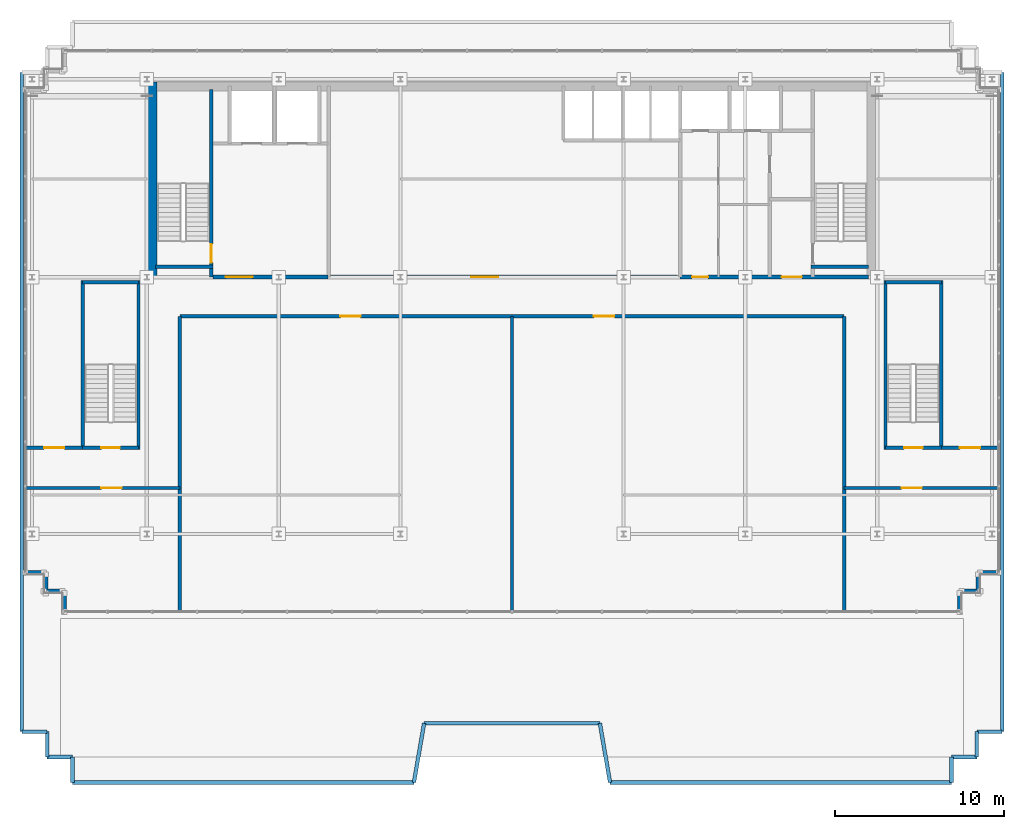
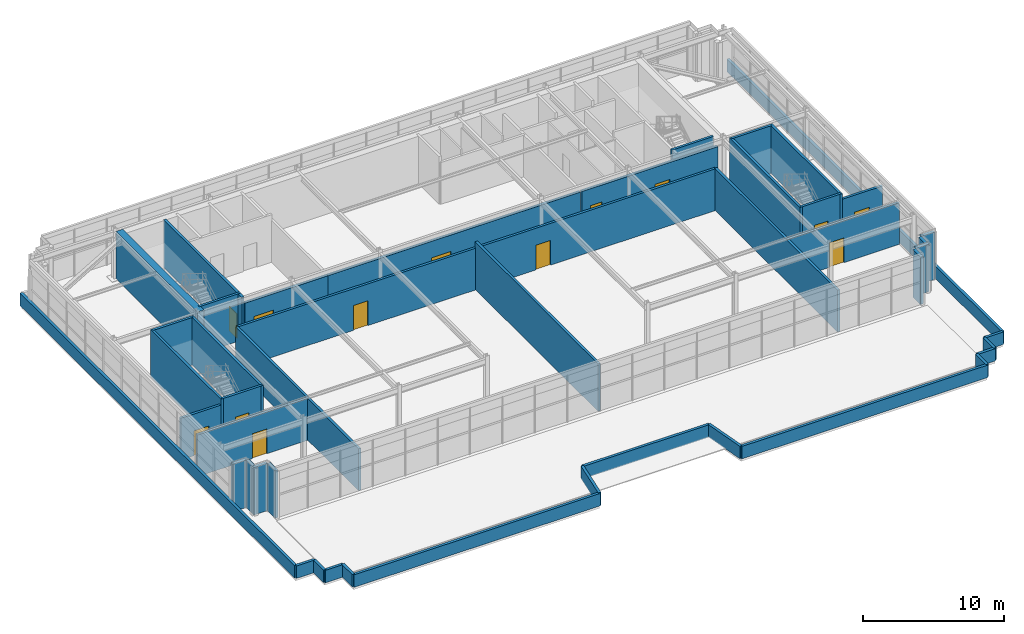
# One storey, part 30 of 38: 46 walls, 13 doors, 13 openings.
"""IFC4 building model written with IfcOpenShell, lengths in metres."""

from ifc_helpers import new_model, si_unit, direction, frame, frame_2d, origin, place, context, subcontext, project, spatial, rectangle, extrude, source, transform, mapped, material, layer, layer_set, type_object, element, fill, save


model = new_model("IFC4")

# Units and contexts
model_context = context("Model", 3, precision=1e-05, world=origin(), true_north=direction((0.0, 1.0)))
body_context = subcontext(model_context, "Body", "Model", "MODEL_VIEW")
ifc_project = project(units=[si_unit("LENGTHUNIT", "METRE"), si_unit("AREAUNIT", "SQUARE_METRE"), si_unit("VOLUMEUNIT", "CUBIC_METRE"), si_unit("PLANEANGLEUNIT", "RADIAN"), si_unit("MASSUNIT", "GRAM", prefix="KILO")], contexts=[model_context])

# Site, building, storey
site_placement = place(None, origin())
site = spatial("IfcSite", under=ifc_project, at=site_placement, CompositionType="ELEMENT")
building_placement = place(site_placement, origin())
building = spatial("IfcBuilding", under=site, at=building_placement, Name="Trelvane Seafront Commons", CompositionType="ELEMENT")
storey_placement = place(building_placement, frame((0.0, 0.0, 299.10009765625)))
storey = spatial("IfcBuildingStorey", under=building, at=storey_placement, Name="L78", CompositionType="ELEMENT", Elevation=299.10009765625)

# Walls
ifc_material_1 = material(Name="Precast concrete C40/50", Category="concrete")
ifc_layer_1 = layer(ifc_material_1, 0.239990234375, Name="ARCH-WALL-EXT240")
ifc_layer_set_1 = layer_set([ifc_layer_1], Name="Precast concrete C40/50")
wall_type_1 = type_object("IfcWallType", Name="ARCH-WALL-EXT240", PredefinedType="SOLIDWALL", material=ifc_layer_set_1)
for number, where, z_axis, x_axis, name in (
    (1, (10.60009765625, 14.820068359375, 0.0), (0.0, 0.0, 1.0), (-1.0, 0.0, 0.0), "EW-L78-CRN-01581"),
    (2, (9.6201171875, 14.699951171875, 0.0), (0.0, 0.0, 1.0), (0.0, 1.0, 0.0), "EW-L78-CRN-01582"),
    (3, (9.5, 15.919921875, 0.0), (0.0, 0.0, 1.0), (-1.0, 0.0, 0.0), "EW-L78-CRN-01583"),
    (4, (66.0, 15.919921875, 0.0), (0.0, 0.0, 1.0), (-1.0, 0.0, 0.0), "EW-L78-CRN-01592"),
    (5, (64.780029296875, 15.800048828125, 0.0), (0.0, 0.0, 1.0), (0.0, -1.0, 0.0), "EW-L78-CRN-01593"),
):
    element("IfcWall", number, at=place(storey_placement, frame(where, z_axis=z_axis, x_axis=x_axis)), inside=storey, type_object=wall_type_1, Name=name, PredefinedType="SOLIDWALL", context=body_context, shape_type="SweptSolid", body=[
        extrude(rectangle(XDim=1.10009765625, YDim=0.239990234375, at=frame_2d((0.550048828125, 0.0))), origin(), (0.0, 0.0, 1.0), 4.119873046875),
    ])
for number, where, z_axis, x_axis, name in (
    (6, (64.89990234375, 14.820068359375, 0.0), (0.0, 0.0, 1.0), (-1.0, 0.0, 0.0), "EW-L78-CRN-01594"),
    (7, (63.679931640625, 14.699951171875, 0.0), (0.0, 0.0, 1.0), (0.0, -1.0, 0.0), "EW-L78-CRN-01595"),
    (8, (10.719970703125, 13.60009765625, 0.0), (0.0, 0.0, 1.0), (0.0, 1.0, 0.0), "EW-L78-CRN-01596"),
):
    element("IfcWall", number, at=place(storey_placement, frame(where, z_axis=z_axis, x_axis=x_axis)), inside=storey, type_object=wall_type_1, Name=name, PredefinedType="SOLIDWALL", context=body_context, shape_type="SweptSolid", body=[
        extrude(rectangle(XDim=1.099853515625, YDim=0.239990234375, at=frame_2d((0.5498046875, 0.0))), origin(), (0.0, 0.0, 1.0), 4.119873046875),
    ])

# Wall, openings, doors
ifc_material_2 = material(Name="Concrete C40/50", Category="concrete")
ifc_layer_2 = layer(ifc_material_2, 0.199951171875, Name="ARCH-WALL-FIRE200")
ifc_layer_set_2 = layer_set([ifc_layer_2], Name="Concrete C40/50")
wall_type_2 = type_object("IfcWallType", Name="ARCH-WALL-FIRE200", PredefinedType="PARTITIONING", material=ifc_layer_set_2)
wall_1_placement = place(storey_placement, frame((17.550048828125, 31.080078125, 0.0), z_axis=(0.0, 0.0, 1.0), x_axis=(1.0, 0.0, 0.0)))
wall_1 = element("IfcWall", 9, at=wall_1_placement, inside=storey, type_object=wall_type_2, Name="W-L78-CRN78-N-037", PredefinedType="PARTITIONING", context=body_context, shape_type="SweptSolid", body=[
    extrude(rectangle(XDim=39.300048828125, YDim=0.199951171875, at=frame_2d((19.64990234375, 0.0))), origin(), (0.0, 0.0, 1.0), 3.619873046875),
])
opening_1_placement = place(wall_1_placement, frame((9.5, 0.0, 0.0)))
opening_1 = element("IfcOpeningElement", 10, at=opening_1_placement, cuts=wall_1, Name="Opening FD-L78-16", PredefinedType="OPENING", context=body_context, shape_type="SweptSolid", body=[
    extrude(rectangle(XDim=1.199951171875, YDim=2.14990234375, at=frame_2d((0.60009765625, 1.074951171875))), frame((0.0, 0.10986328125, 0.0), z_axis=(0.0, -1.0, 0.0), x_axis=(1.0, 0.0, 0.0)), (0.0, 0.0, 1.0), 0.219970703125),
])
opening_2_placement = place(wall_1_placement, frame((24.5, 0.0, 0.0)))
opening_2 = element("IfcOpeningElement", 11, at=opening_2_placement, cuts=wall_1, Name="Opening FD-L78-17", PredefinedType="OPENING", context=body_context, shape_type="SweptSolid", body=[
    extrude(rectangle(XDim=1.199951171875, YDim=2.14990234375, at=frame_2d((0.60009765625, 1.074951171875))), frame((0.0, 0.10986328125, 0.0), z_axis=(0.0, -1.0, 0.0), x_axis=(1.0, 0.0, 0.0)), (0.0, 0.0, 1.0), 0.219970703125),
])
ifc_material_3 = material(Name="Powder-coated aluminium frame", Category="aluminium")
door_type_1 = type_object("IfcDoorType", Name="ARCH-DR-FD60-1200", OperationType="NOTDEFINED", PredefinedType="DOOR", material=ifc_material_3)
shared_shape_1 = source(origin(), body_context, "Body", "SweptSolid", [
    extrude(rectangle(XDim=1.199951171875, YDim=2.14990234375, at=frame_2d((0.60009765625, 1.074951171875))), frame((0.0, 0.02490234375, 0.0), z_axis=(0.0, -1.0, 0.0), x_axis=(1.0, 0.0, 0.0)), (0.0, 0.0, 1.0), 0.050048828125),
])
door_1_placement = place(opening_1_placement, origin())
door_1 = element("IfcDoor", 12, at=door_1_placement, inside=storey, type_object=door_type_1, Name="L78 Door 16", OperationType="SINGLE_SWING_RIGHT", OverallHeight=2.14990234375, OverallWidth=1.199951171875, PredefinedType="DOOR", context=body_context, shape_type="MappedRepresentation", body=[
    mapped(shared_shape_1, transform((0.0, 0.0, 0.0), x_axis=(1.0, 0.0, 0.0), y_axis=(0.0, 1.0, 0.0), z_axis=(0.0, 0.0, 1.0), scale=1.0)),
])
fill(opening_1, door_1)
door_2_placement = place(opening_2_placement, origin())
door_2 = element("IfcDoor", 13, at=door_2_placement, inside=storey, type_object=door_type_1, Name="L78 Door 17", OperationType="SINGLE_SWING_LEFT", OverallHeight=2.14990234375, OverallWidth=1.199951171875, PredefinedType="DOOR", context=body_context, shape_type="MappedRepresentation", body=[
    mapped(shared_shape_1, transform((0.0, 0.0, 0.0), x_axis=(1.0, 0.0, 0.0), y_axis=(0.0, 1.0, 0.0), z_axis=(0.0, 0.0, 1.0), scale=1.0)),
])
fill(opening_2, door_2)

# Walls
wall_2_placement = place(storey_placement, frame((37.199951171875, 13.610107421875, 0.0), z_axis=(0.0, 0.0, 1.0), x_axis=(0.0, 1.0, 0.0)))
element("IfcWall", 14, at=wall_2_placement, inside=storey, type_object=wall_type_2, Name="W-L78-CRN78-DV-038", PredefinedType="PARTITIONING", context=body_context, shape_type="SweptSolid", body=[
    extrude(rectangle(XDim=17.469970703125, YDim=0.199951171875, at=frame_2d((8.73486328125, 0.0))), origin(), (0.0, 0.0, 1.0), 4.119873046875),
])
wall_3_placement = place(storey_placement, frame((17.550048828125, 13.610107421875, 0.0), z_axis=(0.0, 0.0, 1.0), x_axis=(0.0, 1.0, 0.0)))
element("IfcWall", 15, at=wall_3_placement, inside=storey, type_object=wall_type_2, Name="W-L78-CRN78-WE-039", PredefinedType="PARTITIONING", context=body_context, shape_type="SweptSolid", body=[
    extrude(rectangle(XDim=17.469970703125, YDim=0.199951171875, at=frame_2d((8.73486328125, 0.0))), origin(), (0.0, 0.0, 1.0), 3.619873046875),
])

# Wall, opening, door
wall_4_placement = place(storey_placement, frame((8.409912109375, 20.919921875, 0.0), z_axis=(0.0, 0.0, 1.0), x_axis=(1.0, 0.0, 0.0)))
wall_4 = element("IfcWall", 16, at=wall_4_placement, inside=storey, type_object=wall_type_2, Name="W-L78-CRN78-WS-040", PredefinedType="PARTITIONING", context=body_context, shape_type="SweptSolid", body=[
    extrude(rectangle(XDim=9.14013671875, YDim=0.199951171875, at=frame_2d((4.570068359375, 0.0))), origin(), (0.0, 0.0, 1.0), 3.619873046875),
])
opening_3_placement = place(wall_4_placement, frame((4.5, 0.0, 0.0)))
opening_3 = element("IfcOpeningElement", 17, at=opening_3_placement, cuts=wall_4, Name="Opening FD-L78-18", PredefinedType="OPENING", context=body_context, shape_type="SweptSolid", body=[
    extrude(rectangle(XDim=1.199951171875, YDim=2.14990234375, at=frame_2d((0.60009765625, 1.074951171875))), frame((0.0, 0.10986328125, 0.0), z_axis=(0.0, -1.0, 0.0), x_axis=(1.0, 0.0, 0.0)), (0.0, 0.0, 1.0), 0.219970703125),
])
door_3_placement = place(opening_3_placement, origin())
door_3 = element("IfcDoor", 18, at=door_3_placement, inside=storey, type_object=door_type_1, Name="L78 Door 18", OperationType="SINGLE_SWING_RIGHT", OverallHeight=2.14990234375, OverallWidth=1.199951171875, PredefinedType="DOOR", context=body_context, shape_type="MappedRepresentation", body=[
    mapped(shared_shape_1, transform((0.0, 0.0, 0.0), x_axis=(1.0, 0.0, 0.0), y_axis=(0.0, 1.0, 0.0), z_axis=(0.0, 0.0, 1.0), scale=1.0)),
])
fill(opening_3, door_3)

wall_5_placement = place(storey_placement, frame((8.409912109375, 23.300048828125, 0.0), z_axis=(0.0, 0.0, 1.0), x_axis=(1.0, 0.0, 0.0)))
wall_5 = element("IfcWall", 19, at=wall_5_placement, inside=storey, type_object=wall_type_2, Name="W-L78-CRN78-WCT-041", PredefinedType="PARTITIONING", context=body_context, shape_type="SweptSolid", body=[
    extrude(rectangle(XDim=3.39013671875, YDim=0.199951171875, at=frame_2d((1.695068359375, 0.0))), origin(), (0.0, 0.0, 1.0), 3.619873046875),
])
opening_4_placement = place(wall_5_placement, frame((1.10009765625, 0.0, 0.0)))
opening_4 = element("IfcOpeningElement", 20, at=opening_4_placement, cuts=wall_5, Name="Opening FD-L78-19", PredefinedType="OPENING", context=body_context, shape_type="SweptSolid", body=[
    extrude(rectangle(XDim=1.199951171875, YDim=2.14990234375, at=frame_2d((0.60009765625, 1.074951171875))), frame((0.0, 0.10986328125, 0.0), z_axis=(0.0, -1.0, 0.0), x_axis=(1.0, 0.0, 0.0)), (0.0, 0.0, 1.0), 0.219970703125),
])
door_4_placement = place(opening_4_placement, origin())
door_4 = element("IfcDoor", 21, at=door_4_placement, inside=storey, type_object=door_type_1, Name="L78 Door 19", OperationType="SINGLE_SWING_LEFT", OverallHeight=2.14990234375, OverallWidth=1.199951171875, PredefinedType="DOOR", context=body_context, shape_type="MappedRepresentation", body=[
    mapped(shared_shape_1, transform((0.0, 0.0, 0.0), x_axis=(1.0, 0.0, 0.0), y_axis=(0.0, 1.0, 0.0), z_axis=(0.0, 0.0, 1.0), scale=1.0)),
])
fill(opening_4, door_4)

# Wall
wall_6_placement = place(storey_placement, frame((56.85009765625, 13.610107421875, 0.0), z_axis=(0.0, 0.0, 1.0), x_axis=(0.0, 1.0, 0.0)))
element("IfcWall", 22, at=wall_6_placement, inside=storey, type_object=wall_type_2, Name="W-L78-CRN78-EW-042", PredefinedType="PARTITIONING", context=body_context, shape_type="SweptSolid", body=[
    extrude(rectangle(XDim=17.469970703125, YDim=0.199951171875, at=frame_2d((8.73486328125, 0.0))), origin(), (0.0, 0.0, 1.0), 3.619873046875),
])

# Wall, opening, door
wall_7_placement = place(storey_placement, frame((56.85009765625, 20.919921875, 0.0), z_axis=(0.0, 0.0, 1.0), x_axis=(1.0, 0.0, 0.0)))
wall_7 = element("IfcWall", 23, at=wall_7_placement, inside=storey, type_object=wall_type_2, Name="W-L78-CRN78-ES-043", PredefinedType="PARTITIONING", context=body_context, shape_type="SweptSolid", body=[
    extrude(rectangle(XDim=9.139892578125, YDim=0.199951171875, at=frame_2d((4.56982421875, 0.0))), origin(), (0.0, 0.0, 1.0), 3.619873046875),
])
opening_5_placement = place(wall_7_placement, frame((3.39990234375, 0.0, 0.0)))
opening_5 = element("IfcOpeningElement", 24, at=opening_5_placement, cuts=wall_7, Name="Opening FD-L78-20", PredefinedType="OPENING", context=body_context, shape_type="SweptSolid", body=[
    extrude(rectangle(XDim=1.199951171875, YDim=2.14990234375, at=frame_2d((0.60009765625, 1.074951171875))), frame((0.0, 0.10986328125, 0.0), z_axis=(0.0, -1.0, 0.0), x_axis=(1.0, 0.0, 0.0)), (0.0, 0.0, 1.0), 0.219970703125),
])
door_5_placement = place(opening_5_placement, origin())
door_5 = element("IfcDoor", 25, at=door_5_placement, inside=storey, type_object=door_type_1, Name="L78 Door 20", OperationType="SINGLE_SWING_RIGHT", OverallHeight=2.14990234375, OverallWidth=1.199951171875, PredefinedType="DOOR", context=body_context, shape_type="MappedRepresentation", body=[
    mapped(shared_shape_1, transform((0.0, 0.0, 0.0), x_axis=(1.0, 0.0, 0.0), y_axis=(0.0, 1.0, 0.0), z_axis=(0.0, 0.0, 1.0), scale=1.0)),
])
fill(opening_5, door_5)

wall_8_placement = place(storey_placement, frame((62.60009765625, 23.300048828125, 0.0), z_axis=(0.0, 0.0, 1.0), x_axis=(1.0, 0.0, 0.0)))
wall_8 = element("IfcWall", 26, at=wall_8_placement, inside=storey, type_object=wall_type_2, Name="W-L78-CRN78-ETK-044", PredefinedType="PARTITIONING", context=body_context, shape_type="SweptSolid", body=[
    extrude(rectangle(XDim=3.389892578125, YDim=0.199951171875, at=frame_2d((1.69482421875, 0.0))), origin(), (0.0, 0.0, 1.0), 3.619873046875),
])
opening_6_placement = place(wall_8_placement, frame((1.10009765625, 0.0, 0.0)))
opening_6 = element("IfcOpeningElement", 27, at=opening_6_placement, cuts=wall_8, Name="Opening FD-L78-21", PredefinedType="OPENING", context=body_context, shape_type="SweptSolid", body=[
    extrude(rectangle(XDim=1.199951171875, YDim=2.14990234375, at=frame_2d((0.60009765625, 1.074951171875))), frame((0.0, 0.10986328125, 0.0), z_axis=(0.0, -1.0, 0.0), x_axis=(1.0, 0.0, 0.0)), (0.0, 0.0, 1.0), 0.219970703125),
])
door_6_placement = place(opening_6_placement, origin())
door_6 = element("IfcDoor", 28, at=door_6_placement, inside=storey, type_object=door_type_1, Name="L78 Door 21", OperationType="SINGLE_SWING_LEFT", OverallHeight=2.14990234375, OverallWidth=1.199951171875, PredefinedType="DOOR", context=body_context, shape_type="MappedRepresentation", body=[
    mapped(shared_shape_1, transform((0.0, 0.0, 0.0), x_axis=(1.0, 0.0, 0.0), y_axis=(0.0, 1.0, 0.0), z_axis=(0.0, 0.0, 1.0), scale=1.0)),
])
fill(opening_6, door_6)

ifc_layer_3 = layer(ifc_material_2, 0.25, Name="ARCH-WALL-FIRE250")
ifc_layer_set_3 = layer_set([ifc_layer_3], Name="Concrete C40/50")
wall_type_3 = type_object("IfcWallType", Name="ARCH-WALL-FIRE250", PredefinedType="PARTITIONING", material=ifc_layer_set_3)
wall_9_placement = place(storey_placement, frame((19.5, 33.39990234375, 0.0), z_axis=(0.0, 0.0, 1.0), x_axis=(1.0, 0.0, 0.0)))
wall_9 = element("IfcWall", 29, at=wall_9_placement, inside=storey, type_object=wall_type_3, Name="W-L78-CS-FFL-021", PredefinedType="PARTITIONING", context=body_context, shape_type="SweptSolid", body=[
    extrude(rectangle(XDim=6.800048828125, YDim=0.25, at=frame_2d((3.39990234375, 0.0))), origin(), (0.0, 0.0, 1.0), 3.619873046875),
])
opening_7_placement = place(wall_9_placement, frame((0.75, 0.0, 0.0)))
opening_7 = element("IfcOpeningElement", 30, at=opening_7_placement, cuts=wall_9, Name="Opening FD-L78-07", PredefinedType="OPENING", context=body_context, shape_type="SweptSolid", body=[
    extrude(rectangle(XDim=1.60009765625, YDim=2.199951171875, at=frame_2d((0.800048828125, 1.10009765625))), frame((0.0, 0.135009765625, 0.0), z_axis=(0.0, -1.0, 0.0), x_axis=(1.0, 0.0, 0.0)), (0.0, 0.0, 1.0), 0.27001953125),
])
door_type_2 = type_object("IfcDoorType", Name="ARCH-DR-FD60-1600", OperationType="DOUBLE_DOOR_SINGLE_SWING", PredefinedType="DOOR", material=ifc_material_3)
shared_shape_2 = source(origin(), body_context, "Body", "SweptSolid", [
    extrude(rectangle(XDim=1.60009765625, YDim=2.199951171875, at=frame_2d((0.800048828125, 1.10009765625))), frame((0.0, 0.02490234375, 0.0), z_axis=(0.0, -1.0, 0.0), x_axis=(1.0, 0.0, 0.0)), (0.0, 0.0, 1.0), 0.050048828125),
])
door_7_placement = place(opening_7_placement, origin())
door_7 = element("IfcDoor", 31, at=door_7_placement, inside=storey, type_object=door_type_2, Name="L78 Firefighting Lift Lobby Double Fire Door", OperationType="DOUBLE_DOOR_SINGLE_SWING", OverallHeight=2.199951171875, OverallWidth=1.60009765625, PredefinedType="DOOR", context=body_context, shape_type="MappedRepresentation", body=[
    mapped(shared_shape_2, transform((0.0, 0.0, 0.0), x_axis=(1.0, 0.0, 0.0), y_axis=(0.0, 1.0, 0.0), z_axis=(0.0, 0.0, 1.0), scale=1.0)),
])
fill(opening_7, door_7)

wall_10_placement = place(storey_placement, frame((26.300048828125, 33.39990234375, 0.0), z_axis=(0.0, 0.0, 1.0), x_axis=(1.0, 0.0, 0.0)))
wall_10 = element("IfcWall", 32, at=wall_10_placement, inside=storey, type_object=wall_type_3, Name="W-L78-CS-MID-028", PredefinedType="PARTITIONING", context=body_context, shape_type="SweptSolid", body=[
    extrude(rectangle(XDim=20.699951171875, YDim=0.25, at=frame_2d((10.35009765625, 0.0))), origin(), (0.0, 0.0, 1.0), 3.619873046875),
])
opening_8_placement = place(wall_10_placement, frame((8.5, 0.0, 0.0)))
opening_8 = element("IfcOpeningElement", 33, at=opening_8_placement, cuts=wall_10, Name="Opening FD-L78-08", PredefinedType="OPENING", context=body_context, shape_type="SweptSolid", body=[
    extrude(rectangle(XDim=1.60009765625, YDim=2.199951171875, at=frame_2d((0.800048828125, 1.10009765625))), frame((0.0, 0.135009765625, 0.0), z_axis=(0.0, -1.0, 0.0), x_axis=(1.0, 0.0, 0.0)), (0.0, 0.0, 1.0), 0.27001953125),
])
door_8_placement = place(opening_8_placement, origin())
door_8 = element("IfcDoor", 34, at=door_8_placement, inside=storey, type_object=door_type_2, Name="L78 Core Technical Room Door", OperationType="DOUBLE_DOOR_SINGLE_SWING", OverallHeight=2.199951171875, OverallWidth=1.60009765625, PredefinedType="DOOR", context=body_context, shape_type="MappedRepresentation", body=[
    mapped(shared_shape_2, transform((0.0, 0.0, 0.0), x_axis=(1.0, 0.0, 0.0), y_axis=(0.0, 1.0, 0.0), z_axis=(0.0, 0.0, 1.0), scale=1.0)),
])
fill(opening_8, door_8)

# Wall, openings, doors
wall_11_placement = place(storey_placement, frame((47.14990234375, 33.39990234375, 0.0), z_axis=(0.0, 0.0, 1.0), x_axis=(1.0, 0.0, 0.0)))
wall_11 = element("IfcWall", 35, at=wall_11_placement, inside=storey, type_object=wall_type_3, Name="W-L78-CS-EAST-036", PredefinedType="PARTITIONING", context=body_context, shape_type="SweptSolid", body=[
    extrude(rectangle(XDim=11.150146484375, YDim=0.25, at=frame_2d((5.5751953125, 0.0))), origin(), (0.0, 0.0, 1.0), 3.619873046875),
])
opening_9_placement = place(wall_11_placement, frame((0.699951171875, 0.0, 0.0)))
opening_9 = element("IfcOpeningElement", 36, at=opening_9_placement, cuts=wall_11, Name="Opening FD-L78-14", PredefinedType="OPENING", context=body_context, shape_type="SweptSolid", body=[
    extrude(rectangle(XDim=0.949951171875, YDim=2.14990234375, at=frame_2d((0.47509765625, 1.074951171875))), frame((0.0, 0.135009765625, 0.0), z_axis=(0.0, -1.0, 0.0), x_axis=(1.0, 0.0, 0.0)), (0.0, 0.0, 1.0), 0.27001953125),
])
opening_10_placement = place(wall_11_placement, frame((6.0, 0.0, 0.0)))
opening_10 = element("IfcOpeningElement", 37, at=opening_10_placement, cuts=wall_11, Name="Opening FD-L78-15", PredefinedType="OPENING", context=body_context, shape_type="SweptSolid", body=[
    extrude(rectangle(XDim=1.199951171875, YDim=2.14990234375, at=frame_2d((0.60009765625, 1.074951171875))), frame((0.0, 0.135009765625, 0.0), z_axis=(0.0, -1.0, 0.0), x_axis=(1.0, 0.0, 0.0)), (0.0, 0.0, 1.0), 0.27001953125),
])
door_type_3 = type_object("IfcDoorType", Name="ARCH-DR-FD60-950", OperationType="NOTDEFINED", PredefinedType="DOOR", material=ifc_material_3)
shared_shape_3 = source(origin(), body_context, "Body", "SweptSolid", [
    extrude(rectangle(XDim=0.949951171875, YDim=2.14990234375, at=frame_2d((0.47509765625, 1.074951171875))), frame((0.0, 0.02490234375, 0.0), z_axis=(0.0, -1.0, 0.0), x_axis=(1.0, 0.0, 0.0)), (0.0, 0.0, 1.0), 0.050048828125),
])
door_9_placement = place(opening_9_placement, origin())
door_9 = element("IfcDoor", 38, at=door_9_placement, inside=storey, type_object=door_type_3, Name="L78 Core Service Lobby Door", OperationType="SINGLE_SWING_RIGHT", OverallHeight=2.14990234375, OverallWidth=0.949951171875, PredefinedType="DOOR", context=body_context, shape_type="MappedRepresentation", body=[
    mapped(shared_shape_3, transform((0.0, 0.0, 0.0), x_axis=(1.0, 0.0, 0.0), y_axis=(0.0, 1.0, 0.0), z_axis=(0.0, 0.0, 1.0), scale=1.0)),
])
fill(opening_9, door_9)
door_10_placement = place(opening_10_placement, origin())
door_10 = element("IfcDoor", 39, at=door_10_placement, inside=storey, type_object=door_type_1, Name="L78 East Stair Vestibule Fire Door", OperationType="SINGLE_SWING_LEFT", OverallHeight=2.14990234375, OverallWidth=1.199951171875, PredefinedType="DOOR", context=body_context, shape_type="MappedRepresentation", body=[
    mapped(shared_shape_1, transform((0.0, 0.0, 0.0), x_axis=(1.0, 0.0, 0.0), y_axis=(0.0, 1.0, 0.0), z_axis=(0.0, 0.0, 1.0), scale=1.0)),
])
fill(opening_10, door_10)

# Walls
ifc_layer_4 = layer(ifc_material_1, 0.219970703125, Name="ARCH-WALL-PARAPET220")
ifc_layer_set_4 = layer_set([ifc_layer_4], Name="Precast concrete C40/50")
wall_type_4 = type_object("IfcWallType", Name="ARCH-WALL-PARAPET220", PredefinedType="PARAPET", material=ifc_layer_set_4)
wall_12_placement = place(storey_placement, frame((11.199951171875, 3.5, 0.0), z_axis=(0.0, 0.0, 1.0), x_axis=(1.0, 0.0, 0.0)))
element("IfcWall", 40, at=wall_12_placement, inside=storey, type_object=wall_type_4, Name="PAR-L78-1597", PredefinedType="PARAPET", context=body_context, shape_type="SweptSolid", body=[
    extrude(rectangle(XDim=20.199951171875, YDim=0.219970703125, at=frame_2d((10.10009765625, 0.0))), origin(), (0.0, 0.0, 1.0), 1.079833984375),
])
wall_13_placement = place(storey_placement, frame((31.39990234375, 3.5, 0.0), z_axis=(0.0, 0.0, 1.0), x_axis=(0.168990530437, 0.98561767467, 0.0)))
element("IfcWall", 41, at=wall_13_placement, inside=storey, type_object=wall_type_4, Name="PAR-L78-1598", PredefinedType="PARAPET", context=body_context, shape_type="SweptSolid", body=[
    extrude(rectangle(XDim=3.551025390625, YDim=0.219970703125, at=frame_2d((1.775390625, 0.0))), origin(), (0.0, 0.0, 1.0), 1.079833984375),
])
wall_14_placement = place(storey_placement, frame((32.0, 7.0, 0.0), z_axis=(0.0, 0.0, 1.0), x_axis=(1.0, 0.0, 0.0)))
element("IfcWall", 42, at=wall_14_placement, inside=storey, type_object=wall_type_4, Name="PAR-L78-1599", PredefinedType="PARAPET", context=body_context, shape_type="SweptSolid", body=[
    extrude(rectangle(XDim=10.39990234375, YDim=0.219970703125, at=frame_2d((5.199951171875, 0.0))), origin(), (0.0, 0.0, 1.0), 1.079833984375),
])
wall_15_placement = place(storey_placement, frame((42.39990234375, 7.0, 0.0), z_axis=(0.0, 0.0, 1.0), x_axis=(0.168990530437, -0.98561767467, 0.0)))
element("IfcWall", 43, at=wall_15_placement, inside=storey, type_object=wall_type_4, Name="PAR-L78-1600", PredefinedType="PARAPET", context=body_context, shape_type="SweptSolid", body=[
    extrude(rectangle(XDim=3.551025390625, YDim=0.219970703125, at=frame_2d((1.775390625, 0.0))), origin(), (0.0, 0.0, 1.0), 1.079833984375),
])
wall_16_placement = place(storey_placement, frame((43.0, 3.5, 0.0), z_axis=(0.0, 0.0, 1.0), x_axis=(1.0, 0.0, 0.0)))
element("IfcWall", 44, at=wall_16_placement, inside=storey, type_object=wall_type_4, Name="PAR-L78-1601", PredefinedType="PARAPET", context=body_context, shape_type="SweptSolid", body=[
    extrude(rectangle(XDim=20.199951171875, YDim=0.219970703125, at=frame_2d((10.10009765625, 0.0))), origin(), (0.0, 0.0, 1.0), 1.079833984375),
])
for number, where, z_axis, x_axis, name in (
    (45, (63.199951171875, 3.5, 0.0), (0.0, 0.0, 1.0), (0.0, 1.0, 0.0), "PAR-L78-1602"),
    (46, (63.199951171875, 5.0, 0.0), (0.0, 0.0, 1.0), (1.0, 0.0, 0.0), "PAR-L78-1603"),
    (47, (64.699951171875, 5.0, 0.0), (0.0, 0.0, 1.0), (0.0, 1.0, 0.0), "PAR-L78-1604"),
    (48, (64.699951171875, 6.5, 0.0), (0.0, 0.0, 1.0), (1.0, 0.0, 0.0), "PAR-L78-1605"),
):
    element("IfcWall", number, at=place(storey_placement, frame(where, z_axis=z_axis, x_axis=x_axis)), inside=storey, type_object=wall_type_4, Name=name, PredefinedType="PARAPET", context=body_context, shape_type="SweptSolid", body=[
        extrude(rectangle(XDim=1.5, YDim=0.219970703125, at=frame_2d((0.75, 0.0))), origin(), (0.0, 0.0, 1.0), 1.079833984375),
    ])
for number, where, z_axis, x_axis, name in (
    (49, (66.199951171875, 6.5, 0.0), (0.0, 0.0, 1.0), (0.0, 1.0, 0.0), "PAR-L78-1606"),
    (50, (8.199951171875, 45.5, 0.0), (0.0, 0.0, 1.0), (0.0, -1.0, 0.0), "PAR-L78-1616"),
):
    element("IfcWall", number, at=place(storey_placement, frame(where, z_axis=z_axis, x_axis=x_axis)), inside=storey, type_object=wall_type_4, Name=name, PredefinedType="PARAPET", context=body_context, shape_type="SweptSolid", body=[
        extrude(rectangle(XDim=39.0, YDim=0.219970703125, at=frame_2d((19.5, 0.0))), origin(), (0.0, 0.0, 1.0), 1.079833984375),
    ])
for number, where, z_axis, x_axis, name in (
    (51, (8.199951171875, 6.5, 0.0), (0.0, 0.0, 1.0), (1.0, 0.0, 0.0), "PAR-L78-1617"),
    (52, (9.699951171875, 6.5, 0.0), (0.0, 0.0, 1.0), (0.0, -1.0, 0.0), "PAR-L78-1618"),
    (53, (9.699951171875, 5.0, 0.0), (0.0, 0.0, 1.0), (1.0, 0.0, 0.0), "PAR-L78-1619"),
    (54, (11.199951171875, 5.0, 0.0), (0.0, 0.0, 1.0), (0.0, -1.0, 0.0), "PAR-L78-1620"),
):
    element("IfcWall", number, at=place(storey_placement, frame(where, z_axis=z_axis, x_axis=x_axis)), inside=storey, type_object=wall_type_4, Name=name, PredefinedType="PARAPET", context=body_context, shape_type="SweptSolid", body=[
        extrude(rectangle(XDim=1.5, YDim=0.219970703125, at=frame_2d((0.75, 0.0))), origin(), (0.0, 0.0, 1.0), 1.079833984375),
    ])
ifc_material_4 = material(Name="Concrete C50/60", Category="concrete")
ifc_layer_5 = layer(ifc_material_4, 0.550048828125, Name="STR-WALL-CORE550")
ifc_layer_set_5 = layer_set([ifc_layer_5], Name="Concrete C50/60")
wall_type_5 = type_object("IfcWallType", Name="STR-WALL-CORE550", PredefinedType="SHEAR", material=ifc_layer_set_5)
wall_17_placement = place(storey_placement, frame((15.925048828125, 33.39990234375, 0.0), z_axis=(0.0, 0.0, 1.0), x_axis=(0.0, 1.0, 0.0)))
element("IfcWall", 55, at=wall_17_placement, inside=storey, type_object=wall_type_5, Name="W-L78-CW-END-002", PredefinedType="SHEAR", context=body_context, shape_type="SweptSolid", body=[
    extrude(rectangle(XDim=11.550048828125, YDim=0.550048828125, at=frame_2d((5.77490234375, 0.0))), origin(), (0.0, 0.0, 1.0), 4.119873046875),
])
ifc_layer_6 = layer(ifc_material_4, 0.199951171875, Name="STR-WALL-STAIR200")
ifc_layer_set_6 = layer_set([ifc_layer_6], Name="Concrete C50/60")
wall_type_6 = type_object("IfcWallType", Name="STR-WALL-STAIR200", PredefinedType="SHEAR", material=ifc_layer_set_6)
wall_18_placement = place(storey_placement, frame((16.10009765625, 34.0, 0.0), z_axis=(0.0, 0.0, 1.0), x_axis=(1.0, 0.0, 0.0)))
element("IfcWall", 56, at=wall_18_placement, inside=storey, type_object=wall_type_6, Name="W-L78-ST1-S-004", PredefinedType="SHEAR", context=body_context, shape_type="SweptSolid", body=[
    extrude(rectangle(XDim=3.39990234375, YDim=0.199951171875, at=frame_2d((1.699951171875, 0.0))), origin(), (0.0, 0.0, 1.0), 4.119873046875),
])

# Wall, opening, door
wall_19_placement = place(storey_placement, frame((19.39990234375, 33.39990234375, 0.0), z_axis=(0.0, 0.0, 1.0), x_axis=(0.0, 1.0, 0.0)))
wall_19 = element("IfcWall", 57, at=wall_19_placement, inside=storey, type_object=wall_type_6, Name="W-L78-ST1-E-005", PredefinedType="SHEAR", context=body_context, shape_type="SweptSolid", body=[
    extrude(rectangle(XDim=11.10009765625, YDim=0.199951171875, at=frame_2d((5.550048828125, 0.0))), origin(), (0.0, 0.0, 1.0), 4.119873046875),
])
opening_11_placement = place(wall_19_placement, frame((0.85009765625, 0.0, 0.0)))
opening_11 = element("IfcOpeningElement", 58, at=opening_11_placement, cuts=wall_19, Name="Opening ST-D1-L78", PredefinedType="OPENING", context=body_context, shape_type="SweptSolid", body=[
    extrude(rectangle(XDim=1.10009765625, YDim=2.14990234375, at=frame_2d((0.550048828125, 1.074951171875))), frame((0.0, 0.10986328125, 0.0), z_axis=(0.0, -1.0, 0.0), x_axis=(1.0, 0.0, 0.0)), (0.0, 0.0, 1.0), 0.219970703125),
])
door_type_4 = type_object("IfcDoorType", Name="ARCH-DR-FD90-1100", OperationType="NOTDEFINED", PredefinedType="DOOR", material=ifc_material_3)
shared_shape_4 = source(origin(), body_context, "Body", "SweptSolid", [
    extrude(rectangle(XDim=1.10009765625, YDim=2.14990234375, at=frame_2d((0.550048828125, 1.074951171875))), frame((0.0, 0.02490234375, 0.0), z_axis=(0.0, -1.0, 0.0), x_axis=(1.0, 0.0, 0.0)), (0.0, 0.0, 1.0), 0.050048828125),
])
door_11_placement = place(opening_11_placement, origin())
door_11 = element("IfcDoor", 59, at=door_11_placement, inside=storey, type_object=door_type_4, Name="L78 Stair ST-1 Lobby Fire Door", OperationType="SINGLE_SWING_LEFT", OverallHeight=2.14990234375, OverallWidth=1.10009765625, PredefinedType="DOOR", context=body_context, shape_type="MappedRepresentation", body=[
    mapped(shared_shape_4, transform((0.0, 0.0, 0.0), x_axis=(1.0, 0.0, 0.0), y_axis=(0.0, 1.0, 0.0), z_axis=(0.0, 0.0, 1.0), scale=1.0)),
])
fill(opening_11, door_11)

# Walls
wall_20_placement = place(storey_placement, frame((54.89990234375, 34.0, 0.0), z_axis=(0.0, 0.0, 1.0), x_axis=(1.0, 0.0, 0.0)))
element("IfcWall", 60, at=wall_20_placement, inside=storey, type_object=wall_type_6, Name="W-L78-ST2-S-006", PredefinedType="SHEAR", context=body_context, shape_type="SweptSolid", body=[
    extrude(rectangle(XDim=3.400146484375, YDim=0.199951171875, at=frame_2d((1.7001953125, 0.0))), origin(), (0.0, 0.0, 1.0), 4.119873046875),
])
for number, where, z_axis, x_axis, name in (
    (61, (11.800048828125, 23.199951171875, 0.0), (0.0, 0.0, 1.0), (0.0, 1.0, 0.0), "W-L78-ST5-W-008"),
    (62, (15.10009765625, 23.199951171875, 0.0), (0.0, 0.0, 1.0), (0.0, 1.0, 0.0), "W-L78-ST5-E-009"),
):
    element("IfcWall", number, at=place(storey_placement, frame(where, z_axis=z_axis, x_axis=x_axis)), inside=storey, type_object=wall_type_6, Name=name, PredefinedType="SHEAR", context=body_context, shape_type="SweptSolid", body=[
        extrude(rectangle(XDim=10.0, YDim=0.199951171875, at=frame_2d((5.0, 0.0))), origin(), (0.0, 0.0, 1.0), 4.119873046875),
    ])
wall_21_placement = place(storey_placement, frame((11.800048828125, 33.10009765625, 0.0), z_axis=(0.0, 0.0, 1.0), x_axis=(1.0, 0.0, 0.0)))
element("IfcWall", 63, at=wall_21_placement, inside=storey, type_object=wall_type_6, Name="W-L78-ST5-N-010", PredefinedType="SHEAR", context=body_context, shape_type="SweptSolid", body=[
    extrude(rectangle(XDim=3.300048828125, YDim=0.199951171875, at=frame_2d((1.64990234375, 0.0))), origin(), (0.0, 0.0, 1.0), 4.119873046875),
])

# Wall, opening, door
wall_22_placement = place(storey_placement, frame((11.800048828125, 23.300048828125, 0.0), z_axis=(0.0, 0.0, 1.0), x_axis=(1.0, 0.0, 0.0)))
wall_22 = element("IfcWall", 64, at=wall_22_placement, inside=storey, type_object=wall_type_6, Name="W-L78-ST5-S-011", PredefinedType="SHEAR", context=body_context, shape_type="SweptSolid", body=[
    extrude(rectangle(XDim=3.300048828125, YDim=0.199951171875, at=frame_2d((1.64990234375, 0.0))), origin(), (0.0, 0.0, 1.0), 4.119873046875),
])
opening_12_placement = place(wall_22_placement, frame((1.10009765625, 0.0, 0.0)))
opening_12 = element("IfcOpeningElement", 65, at=opening_12_placement, cuts=wall_22, Name="Opening ST-D-ST5-L78", PredefinedType="OPENING", context=body_context, shape_type="SweptSolid", body=[
    extrude(rectangle(XDim=1.10009765625, YDim=2.14990234375, at=frame_2d((0.550048828125, 1.074951171875))), frame((0.0, 0.10986328125, 0.0), z_axis=(0.0, -1.0, 0.0), x_axis=(1.0, 0.0, 0.0)), (0.0, 0.0, 1.0), 0.219970703125),
])
door_12_placement = place(opening_12_placement, origin())
door_12 = element("IfcDoor", 66, at=door_12_placement, inside=storey, type_object=door_type_4, Name="L78 Crown ST5 Fire Door", OperationType="SINGLE_SWING_LEFT", OverallHeight=2.14990234375, OverallWidth=1.10009765625, PredefinedType="DOOR", context=body_context, shape_type="MappedRepresentation", body=[
    mapped(shared_shape_4, transform((0.0, 0.0, 0.0), x_axis=(1.0, 0.0, 0.0), y_axis=(0.0, 1.0, 0.0), z_axis=(0.0, 0.0, 1.0), scale=1.0)),
])
fill(opening_12, door_12)

# Walls
for number, where, z_axis, x_axis, name in (
    (67, (59.300048828125, 23.199951171875, 0.0), (0.0, 0.0, 1.0), (0.0, 1.0, 0.0), "W-L78-ST6-W-012"),
    (68, (62.60009765625, 23.199951171875, 0.0), (0.0, 0.0, 1.0), (0.0, 1.0, 0.0), "W-L78-ST6-E-013"),
):
    element("IfcWall", number, at=place(storey_placement, frame(where, z_axis=z_axis, x_axis=x_axis)), inside=storey, type_object=wall_type_6, Name=name, PredefinedType="SHEAR", context=body_context, shape_type="SweptSolid", body=[
        extrude(rectangle(XDim=10.0, YDim=0.199951171875, at=frame_2d((5.0, 0.0))), origin(), (0.0, 0.0, 1.0), 4.119873046875),
    ])
wall_23_placement = place(storey_placement, frame((59.300048828125, 33.10009765625, 0.0), z_axis=(0.0, 0.0, 1.0), x_axis=(1.0, 0.0, 0.0)))
element("IfcWall", 69, at=wall_23_placement, inside=storey, type_object=wall_type_6, Name="W-L78-ST6-N-014", PredefinedType="SHEAR", context=body_context, shape_type="SweptSolid", body=[
    extrude(rectangle(XDim=3.300048828125, YDim=0.199951171875, at=frame_2d((1.64990234375, 0.0))), origin(), (0.0, 0.0, 1.0), 4.119873046875),
])

# Wall, opening, door
wall_24_placement = place(storey_placement, frame((59.300048828125, 23.300048828125, 0.0), z_axis=(0.0, 0.0, 1.0), x_axis=(1.0, 0.0, 0.0)))
wall_24 = element("IfcWall", 70, at=wall_24_placement, inside=storey, type_object=wall_type_6, Name="W-L78-ST6-S-015", PredefinedType="SHEAR", context=body_context, shape_type="SweptSolid", body=[
    extrude(rectangle(XDim=3.300048828125, YDim=0.199951171875, at=frame_2d((1.64990234375, 0.0))), origin(), (0.0, 0.0, 1.0), 4.119873046875),
])
opening_13_placement = place(wall_24_placement, frame((1.10009765625, 0.0, 0.0)))
opening_13 = element("IfcOpeningElement", 71, at=opening_13_placement, cuts=wall_24, Name="Opening ST-D-ST6-L78", PredefinedType="OPENING", context=body_context, shape_type="SweptSolid", body=[
    extrude(rectangle(XDim=1.10009765625, YDim=2.14990234375, at=frame_2d((0.550048828125, 1.074951171875))), frame((0.0, 0.10986328125, 0.0), z_axis=(0.0, -1.0, 0.0), x_axis=(1.0, 0.0, 0.0)), (0.0, 0.0, 1.0), 0.219970703125),
])
door_13_placement = place(opening_13_placement, origin())
door_13 = element("IfcDoor", 72, at=door_13_placement, inside=storey, type_object=door_type_4, Name="L78 Crown ST6 Fire Door", OperationType="SINGLE_SWING_RIGHT", OverallHeight=2.14990234375, OverallWidth=1.10009765625, PredefinedType="DOOR", context=body_context, shape_type="MappedRepresentation", body=[
    mapped(shared_shape_4, transform((0.0, 0.0, 0.0), x_axis=(1.0, 0.0, 0.0), y_axis=(0.0, 1.0, 0.0), z_axis=(0.0, 0.0, 1.0), scale=1.0)),
])
fill(opening_13, door_13)

save(model, "model.ifc")
